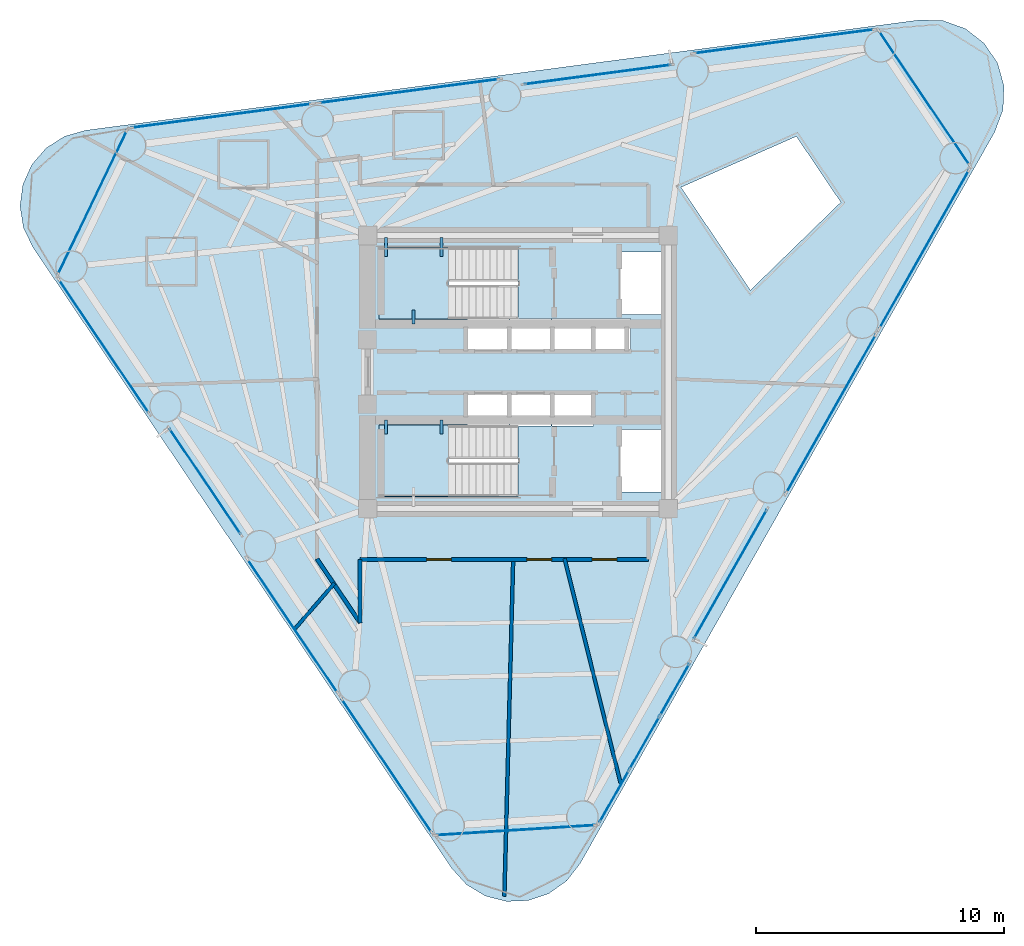
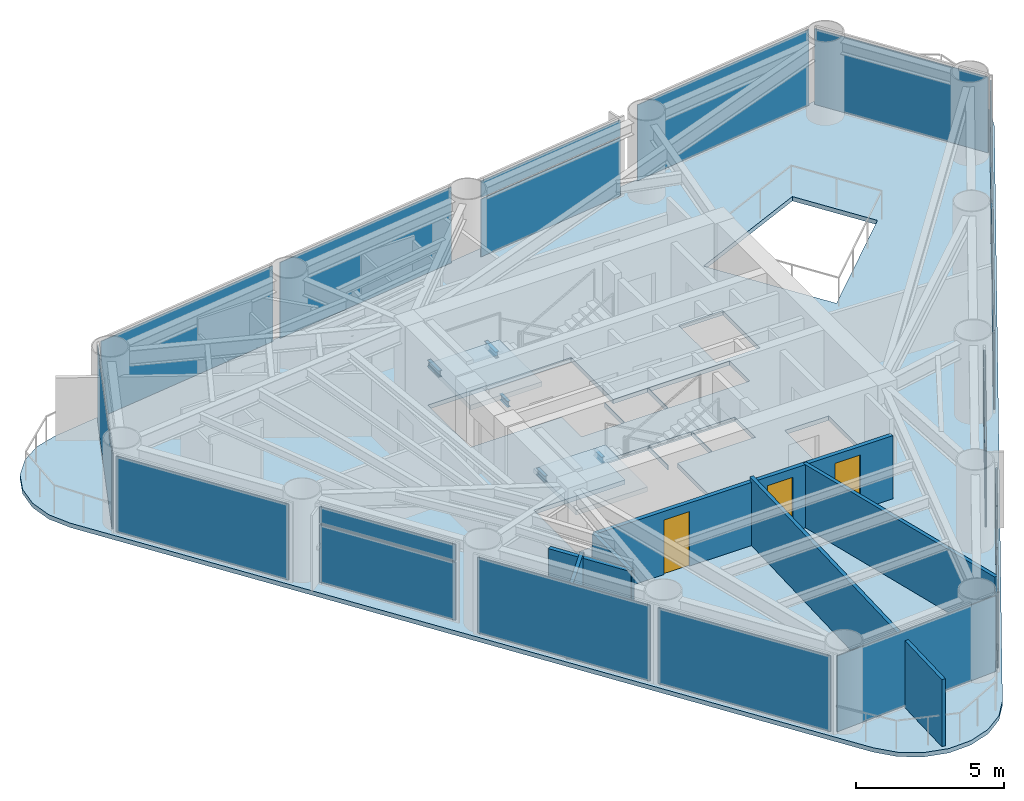
# One storey, part 4 of 9: 23 plates, 6 walls, 5 beams, 3 doors, 3 slabs, 3 openings, 17 elements without a shape of their own.
"""IFC4 building model written with IfcOpenShell, lengths in metres."""

from ifc_helpers import new_model, si_unit, direction, frame, frame_2d, origin, origin_2d, place, context, subcontext, project, spatial, polyline, rectangle, i_section, outline, extrude, source, transform, mapped, material, layer, layer_set, material_profile, profile_set, type_object, element, fill, aggregate, save


model = new_model("IFC4")

# Units and contexts
model_context = context("Model", 3, precision=1e-05, world=origin(), true_north=direction((0.0, 1.0)))
body_context = subcontext(model_context, "Body", "Model", "MODEL_VIEW")
ifc_project = project(units=[si_unit("LENGTHUNIT", "METRE"), si_unit("AREAUNIT", "SQUARE_METRE"), si_unit("VOLUMEUNIT", "CUBIC_METRE"), si_unit("PLANEANGLEUNIT", "RADIAN"), si_unit("MASSUNIT", "GRAM", prefix="KILO")], contexts=[model_context])

# Site, building, storey
site_placement = place(None, origin())
site = spatial("IfcSite", under=ifc_project, at=site_placement, CompositionType="ELEMENT")
building_placement = place(site_placement, origin())
building = spatial("IfcBuilding", under=site, at=building_placement, Name="Yunling Apex Tower", CompositionType="ELEMENT")
storey_placement = place(building_placement, frame((0.0, 0.0, 176.0)))
storey = spatial("IfcBuildingStorey", under=building, at=storey_placement, Name="L43", CompositionType="ELEMENT", Elevation=176.0)

# Beams
ifc_material_1 = material(Name="Steel Q355B", Category="steel")
ifc_material_profile = material_profile(ifc_material_1, i_section(OverallWidth=0.125, OverallDepth=0.25, WebThickness=0.006103515625, FlangeThickness=0.009033203125, FilletRadius=0.011962890625, at=origin_2d()))
ifc_profile_set = profile_set([ifc_material_profile], Name="Steel Q355B")
beam_type = type_object("IfcBeamType", Name="BL-LNT-1", PredefinedType="LINTEL", material=ifc_profile_set)
shared_shape_1 = source(origin(), body_context, "Body", "SweptSolid", [
    extrude(i_section(OverallWidth=0.125, OverallDepth=0.25, WebThickness=0.006103515625, FlangeThickness=0.009033203125, FilletRadius=0.011962890625, at=origin_2d()), origin(), (0.0, 0.0, 1.0), 0.760009765625),
])
for number, where, z_axis, x_axis, name in (
    (1, (-5.320068359375, 5.419921875, 1.405029296875), (0.0, -1.0, 0.0), (1.0, 0.0, 0.0), "L43 ST-1 Landing Bearing Corbel 1-1"),
    (2, (-3.090087890625, 5.419921875, 1.405029296875), (0.0, -1.0, 0.0), (1.0, 0.0, 0.0), "L43 ST-1 Landing Bearing Corbel 1-2"),
):
    element("IfcBeam", number, at=place(storey_placement, frame(where, z_axis=z_axis, x_axis=x_axis)), inside=storey, type_object=beam_type, Name=name, PredefinedType="LINTEL", context=body_context, shape_type="MappedRepresentation", body=[
        mapped(shared_shape_1, transform((0.0, 0.0, 0.0), scale=1.0)),
    ])
shared_shape_2 = source(origin(), body_context, "Body", "SweptSolid", [
    extrude(i_section(OverallWidth=0.125, OverallDepth=0.25, WebThickness=0.006103515625, FlangeThickness=0.009033203125, FilletRadius=0.011962890625, at=origin_2d()), origin(), (0.0, 0.0, 1.0), 0.550048828125),
])
for number, where, z_axis, x_axis, name in (
    (3, (-4.205078125, 1.93994140625, 1.405029296875), (0.0, 1.0, 0.0), (-1.0, 0.0, 0.0), "L43 ST-1 Landing Bearing Corbel 1-3"),
    (4, (-5.320068359375, -1.93994140625, 1.405029296875), (0.0, -1.0, 0.0), (1.0, 0.0, 0.0), "L43 ST-2 Landing Bearing Corbel 1-1"),
    (5, (-3.090087890625, -1.93994140625, 1.405029296875), (0.0, -1.0, 0.0), (1.0, 0.0, 0.0), "L43 ST-2 Landing Bearing Corbel 1-2"),
):
    element("IfcBeam", number, at=place(storey_placement, frame(where, z_axis=z_axis, x_axis=x_axis)), inside=storey, type_object=beam_type, Name=name, PredefinedType="LINTEL", context=body_context, shape_type="MappedRepresentation", body=[
        mapped(shared_shape_2, transform((0.0, 0.0, 0.0), scale=1.0)),
    ])

# Slab
ifc_material_2 = material(Name="Concrete C40", Category="concrete")
ifc_layer_1 = layer(ifc_material_2, 0.1650390625)
ifc_layer_set_1 = layer_set([ifc_layer_1], Name="Concrete C40")
slab_type_1 = type_object("IfcSlabType", Name="SL-FLR-2", PredefinedType="FLOOR", material=ifc_layer_set_1)
slab_1_placement = place(storey_placement, frame((0.0, 0.0, -0.179931640625)))
element("IfcSlab", 6, at=slab_1_placement, inside=storey, type_object=slab_type_1, Name="L43 Composite Tower Floor Slab", PredefinedType="FLOOR", context=body_context, shape_type="SweptSolid", body=[
    extrude(outline(polyline([(-2.665771484375, -20.00146484375), (-2.073486328125, -20.65185546875), (-1.31982421875, -21.10546875), (-0.468017578125, -21.32421875), (0.410888671875, -21.2900390625), (1.243408203125, -21.005615234375), (1.95947265625, -20.494873046875), (2.499267578125, -19.80029296875), (19.197998046875, 9.66650390625), (19.533203125, 10.565185546875), (19.572021484375, 11.5234375), (19.31005859375, 12.4462890625), (18.773681640625, 13.241455078125), (18.01611328125, 13.830078125), (17.113037109375, 14.1533203125), (16.154296875, 14.178955078125), (-17.422119140625, 9.734619140625), (-18.268310546875, 9.494384765625), (-19.01025390625, 9.021728515625), (-19.585693359375, 8.3564453125), (-19.947021484375, 7.554443359375), (-20.06298828125, 6.682373046875), (-19.9248046875, 5.813720703125), (-19.543701171875, 5.02099609375), (-2.665771484375, -20.00146484375)]), holes=[polyline([(11.209228515625, 9.49072265625), (12.998779296875, 6.837890625), (9.356689453125, 3.295654296875), (6.560791015625, 7.44091796875), (11.209228515625, 9.49072265625)]), polyline([(4.090087890625, -2.320068359375), (5.81005859375, -2.320068359375), (5.81005859375, -4.840087890625), (4.090087890625, -4.840087890625), (4.090087890625, -2.320068359375)]), polyline([(5.81005859375, 4.840087890625), (5.81005859375, 2.320068359375), (4.090087890625, 2.320068359375), (4.090087890625, 4.840087890625), (5.81005859375, 4.840087890625)]), polyline([(1.364990234375, 2.1650390625), (4.534912109375, 2.1650390625), (4.534912109375, 0.794921875), (1.364990234375, 0.794921875), (1.364990234375, 2.1650390625)]), polyline([(3.034912109375, -0.794921875), (3.034912109375, -2.1650390625), (1.364990234375, -2.1650390625), (1.364990234375, -0.794921875), (3.034912109375, -0.794921875)]), polyline([(-2.034912109375, -0.794921875), (-0.364990234375, -0.794921875), (-0.364990234375, -2.139892578125), (-0.3349609375, -2.139892578125), (-0.3349609375, -0.794921875), (1.3349609375, -0.794921875), (1.3349609375, -2.1650390625), (-0.010009765625, -2.1650390625), (-0.010009765625, -5.010009765625), (-5.60009765625, -5.010009765625), (-5.60009765625, -2.139892578125), (-2.034912109375, -2.139892578125), (-2.034912109375, -0.794921875)]), polyline([(-5.60009765625, 2.139892578125), (-5.60009765625, 5.010009765625), (-0.010009765625, 5.010009765625), (-0.010009765625, 2.1650390625), (1.3349609375, 2.1650390625), (1.3349609375, 0.794921875), (-0.3349609375, 0.794921875), (-0.3349609375, 2.139892578125), (-0.364990234375, 2.139892578125), (-0.364990234375, 0.794921875), (-2.034912109375, 0.794921875), (-2.034912109375, 2.139892578125), (-5.60009765625, 2.139892578125)])]), origin(), (0.0, 0.0, 1.0), 0.179931640625),
])

# Stair, slab
stair_type = type_object("IfcStairType", Name="ST-TWR-2", PredefinedType="HALF_TURN_STAIR", material=ifc_material_2)
stair_1_placement = place(storey_placement, origin())
stair_1 = element("IfcStair", 7, at=stair_1_placement, inside=storey, type_object=stair_type, Name="L43 North Core Smokeproof Exit Stair ST-1", PredefinedType="HALF_TURN_STAIR")
ifc_layer_2 = layer(ifc_material_2, 0.195068359375)
ifc_layer_set_2 = layer_set([ifc_layer_2], Name="Concrete C40")
slab_type_2 = type_object("IfcSlabType", Name="SL-LND-1", PredefinedType="LANDING", material=ifc_layer_set_2)
slab_2_placement = place(storey_placement, frame((0.0, 0.0, 1.530029296875)))
slab_2 = element("IfcSlab", 8, at=slab_2_placement, type_object=slab_type_2, Name="ST-1 landing 1", PredefinedType="LANDING", context=body_context, shape_type="SweptSolid", body=[
    extrude(outline(polyline([(-2.81005859375, 5.010009765625), (-5.60009765625, 5.010009765625), (-5.60009765625, 2.139892578125), (-2.81005859375, 2.139892578125), (-2.81005859375, 5.010009765625)])), origin(), (0.0, 0.0, 1.0), 0.195068359375),
])
aggregate(stair_1, [slab_2])

stair_2_placement = place(storey_placement, origin())
stair_2 = element("IfcStair", 9, at=stair_2_placement, inside=storey, type_object=stair_type, Name="L43 South Core Smokeproof Exit Stair ST-2", PredefinedType="HALF_TURN_STAIR")
slab_3_placement = place(storey_placement, frame((0.0, 0.0, 1.530029296875)))
slab_3 = element("IfcSlab", 10, at=slab_3_placement, type_object=slab_type_2, Name="ST-2 landing 1", PredefinedType="LANDING", context=body_context, shape_type="SweptSolid", body=[
    extrude(outline(polyline([(-2.81005859375, -2.139892578125), (-5.60009765625, -2.139892578125), (-5.60009765625, -5.010009765625), (-2.81005859375, -5.010009765625), (-2.81005859375, -2.139892578125)])), origin(), (0.0, 0.0, 1.0), 0.195068359375),
])
aggregate(stair_2, [slab_3])

# Curtain wall, plates
ifc_material_3 = material(Name="Bronze anodised aluminium", Category="aluminium")
ifc_layer_3 = layer(ifc_material_3, 0.239990234375)
ifc_layer_set_3 = layer_set([ifc_layer_3], Name="Bronze anodised aluminium")
curtain_wall_type = type_object("IfcCurtainWallType", Name="CW-SYS-3", PredefinedType="NOTDEFINED", material=ifc_layer_set_3)
curtain_wall_1_placement = place(storey_placement, origin())
curtain_wall_1 = element("IfcCurtainWall", 11, at=curtain_wall_1_placement, inside=storey, type_object=curtain_wall_type, Name="CW-L43-F1-B1", PredefinedType="NOTDEFINED")
ifc_material_4 = material(Name="Bronze tinted low-E glass", Category="glass")
ifc_layer_4 = layer(ifc_material_4, 0.031982421875)
ifc_layer_set_4 = layer_set([ifc_layer_4], Name="Bronze tinted low-E glass")
plate_type = type_object("IfcPlateType", Name="CW-PNL-3", PredefinedType="CURTAIN_PANEL", material=ifc_layer_set_4)
shared_shape_3 = source(origin(), body_context, "Body", "SweptSolid", [
    extrude(rectangle(XDim=2.3828125, YDim=0.031982421875, at=origin_2d()), origin(), (0.0, 0.0, 1.0), 2.381103515625),
])
plate_1_placement = place(storey_placement, frame((3.874755859375, -17.089111328125, 0.072265625), z_axis=(0.0, 0.0, 1.0), x_axis=(0.493040979859, 0.870006087438, 0.0)))
plate_1 = element("IfcPlate", 12, at=plate_1_placement, type_object=plate_type, Name="CW-SYS-3 panel 1.1", PredefinedType="CURTAIN_PANEL", context=body_context, shape_type="MappedRepresentation", body=[
    mapped(shared_shape_3, transform((0.0, 0.0, 0.0), scale=1.0)),
])
plate_2_placement = place(storey_placement, frame((6.307373046875, -12.796875, 0.072265625), z_axis=(0.0, 0.0, 1.0), x_axis=(0.493040979859, 0.870006087438, 0.0)))
plate_2 = element("IfcPlate", 13, at=plate_2_placement, type_object=plate_type, Name="CW-SYS-3 panel 3.1", PredefinedType="CURTAIN_PANEL", context=body_context, shape_type="MappedRepresentation", body=[
    mapped(shared_shape_3, transform((0.0, 0.0, 0.0), scale=1.0)),
])
shared_shape_4 = source(origin(), body_context, "Body", "SweptSolid", [
    extrude(rectangle(XDim=2.3828125, YDim=0.031982421875, at=origin_2d()), origin(), (0.0, 0.0, 1.0), 0.680908203125),
])
plate_3_placement = place(storey_placement, frame((3.874755859375, -17.089111328125, 2.51708984375), z_axis=(0.0, 0.0, 1.0), x_axis=(0.493040979859, 0.870006087438, 0.0)))
plate_3 = element("IfcPlate", 14, at=plate_3_placement, type_object=plate_type, Name="CW-SYS-3 panel 1.2", PredefinedType="CURTAIN_PANEL", context=body_context, shape_type="MappedRepresentation", body=[
    mapped(shared_shape_4, transform((0.0, 0.0, 0.0), scale=1.0)),
])
plate_4_placement = place(storey_placement, frame((6.307373046875, -12.796875, 2.51708984375), z_axis=(0.0, 0.0, 1.0), x_axis=(0.493040979859, 0.870006087438, 0.0)))
plate_4 = element("IfcPlate", 15, at=plate_4_placement, type_object=plate_type, Name="CW-SYS-3 panel 3.2", PredefinedType="CURTAIN_PANEL", context=body_context, shape_type="MappedRepresentation", body=[
    mapped(shared_shape_4, transform((0.0, 0.0, 0.0), scale=1.0)),
])
shared_shape_5 = source(origin(), body_context, "Body", "SweptSolid", [
    extrude(rectangle(XDim=2.4228515625, YDim=0.031982421875, at=origin_2d()), origin(), (0.0, 0.0, 1.0), 2.381103515625),
])
plate_5_placement = place(storey_placement, frame((5.091064453125, -14.943115234375, 0.072265625), z_axis=(0.0, 0.0, 1.0), x_axis=(0.493040979859, 0.870006087438, 0.0)))
plate_5 = element("IfcPlate", 16, at=plate_5_placement, type_object=plate_type, Name="CW-SYS-3 panel 2.1", PredefinedType="CURTAIN_PANEL", context=body_context, shape_type="MappedRepresentation", body=[
    mapped(shared_shape_5, transform((0.0, 0.0, 0.0), scale=1.0)),
])
shared_shape_6 = source(origin(), body_context, "Body", "SweptSolid", [
    extrude(rectangle(XDim=2.4228515625, YDim=0.031982421875, at=origin_2d()), origin(), (0.0, 0.0, 1.0), 0.680908203125),
])
plate_6_placement = place(storey_placement, frame((5.091064453125, -14.943115234375, 2.51708984375), z_axis=(0.0, 0.0, 1.0), x_axis=(0.493040979859, 0.870006087438, 0.0)))
plate_6 = element("IfcPlate", 17, at=plate_6_placement, type_object=plate_type, Name="CW-SYS-3 panel 2.2", PredefinedType="CURTAIN_PANEL", context=body_context, shape_type="MappedRepresentation", body=[
    mapped(shared_shape_6, transform((0.0, 0.0, 0.0), scale=1.0)),
])
aggregate(curtain_wall_1, [plate_1, plate_3, plate_5, plate_6, plate_2, plate_4])

# Curtain wall, plate
curtain_wall_2_placement = place(storey_placement, origin())
curtain_wall_2 = element("IfcCurtainWall", 18, at=curtain_wall_2_placement, inside=storey, type_object=curtain_wall_type, Name="CW-L43-F1-B2", PredefinedType="NOTDEFINED")
shared_shape_7 = source(origin(), body_context, "Body", "SweptSolid", [
    extrude(rectangle(XDim=5.9365234375, YDim=0.031982421875, at=origin_2d()), origin(), (0.0, 0.0, 1.0), 2.381103515625),
])
plate_7_placement = place(storey_placement, frame((8.552490234375, -8.145263671875, 0.072265625), z_axis=(0.0, 0.0, 1.0), x_axis=(0.493047012471, 0.87000266867, 0.0)))
plate_7 = element("IfcPlate", 19, at=plate_7_placement, type_object=plate_type, Name="CW-SYS-3 panel 1.1", PredefinedType="CURTAIN_PANEL", context=body_context, shape_type="MappedRepresentation", body=[
    mapped(shared_shape_7, transform((0.0, 0.0, 0.0), scale=1.0)),
])

curtain_wall_3_placement = place(storey_placement, origin())
curtain_wall_3 = element("IfcCurtainWall", 20, at=curtain_wall_3_placement, inside=storey, type_object=curtain_wall_type, Name="CW-L43-F2-B2", PredefinedType="NOTDEFINED")
plate_8_placement = place(storey_placement, frame((3.206298828125, 11.98095703125, 0.072265625), z_axis=(0.0, 0.0, 1.0), x_axis=(-0.99135526932, -0.131204916036, 0.0)))
plate_8 = element("IfcPlate", 21, at=plate_8_placement, type_object=plate_type, Name="CW-SYS-3 panel 1.1", PredefinedType="CURTAIN_PANEL", context=body_context, shape_type="MappedRepresentation", body=[
    mapped(shared_shape_7, transform((0.0, 0.0, 0.0), scale=1.0)),
])

# Plate
shared_shape_8 = source(origin(), body_context, "Body", "SweptSolid", [
    extrude(rectangle(XDim=5.9365234375, YDim=0.031982421875, at=origin_2d()), origin(), (0.0, 0.0, 1.0), 0.680908203125),
])
plate_9_placement = place(storey_placement, frame((8.552490234375, -8.145263671875, 2.51708984375), z_axis=(0.0, 0.0, 1.0), x_axis=(0.493047012471, 0.87000266867, 0.0)))
plate_9 = element("IfcPlate", 22, at=plate_9_placement, type_object=plate_type, Name="CW-SYS-3 panel 1.2", PredefinedType="CURTAIN_PANEL", context=body_context, shape_type="MappedRepresentation", body=[
    mapped(shared_shape_8, transform((0.0, 0.0, 0.0), scale=1.0)),
])

aggregate(curtain_wall_2, [plate_7, plate_9])

plate_10_placement = place(storey_placement, frame((3.206298828125, 11.98095703125, 2.51708984375), z_axis=(0.0, 0.0, 1.0), x_axis=(-0.99135526932, -0.131204916036, 0.0)))
plate_10 = element("IfcPlate", 23, at=plate_10_placement, type_object=plate_type, Name="CW-SYS-3 panel 1.2", PredefinedType="CURTAIN_PANEL", context=body_context, shape_type="MappedRepresentation", body=[
    mapped(shared_shape_8, transform((0.0, 0.0, 0.0), scale=1.0)),
])

aggregate(curtain_wall_3, [plate_8, plate_10])

# Curtain wall, plate
curtain_wall_4_placement = place(storey_placement, origin())
curtain_wall_4 = element("IfcCurtainWall", 24, at=curtain_wall_4_placement, inside=storey, type_object=curtain_wall_type, Name="CW-L43-F1-B3", PredefinedType="NOTDEFINED")
shared_shape_9 = source(origin(), body_context, "Body", "SweptSolid", [
    extrude(rectangle(XDim=7.316650390625, YDim=0.031982421875, at=origin_2d()), origin(), (0.0, 0.0, 1.0), 3.1259765625),
])
plate_11_placement = place(storey_placement, frame((12.60546875, -1.682861328125, 0.072021484375), z_axis=(0.0, 0.0, 1.0), x_axis=(0.493035230416, 0.870009345679, 0.0)))
plate_11 = element("IfcPlate", 25, at=plate_11_placement, type_object=plate_type, Name="CW-SYS-3 panel 1.1", PredefinedType="CURTAIN_PANEL", context=body_context, shape_type="MappedRepresentation", body=[
    mapped(shared_shape_9, transform((0.0, 0.0, 0.0), scale=1.0)),
])
aggregate(curtain_wall_4, [plate_11])

curtain_wall_5_placement = place(storey_placement, origin())
curtain_wall_5 = element("IfcCurtainWall", 26, at=curtain_wall_5_placement, inside=storey, type_object=curtain_wall_type, Name="CW-L43-F1-B4", PredefinedType="NOTDEFINED")
plate_12_placement = place(storey_placement, frame((16.362548828125, 4.947021484375, 0.072021484375), z_axis=(0.0, 0.0, 1.0), x_axis=(0.493040979859, 0.870006087438, 0.0)))
plate_12 = element("IfcPlate", 27, at=plate_12_placement, type_object=plate_type, Name="CW-SYS-3 panel 1.1", PredefinedType="CURTAIN_PANEL", context=body_context, shape_type="MappedRepresentation", body=[
    mapped(shared_shape_9, transform((0.0, 0.0, 0.0), scale=1.0)),
])
aggregate(curtain_wall_5, [plate_12])

curtain_wall_6_placement = place(storey_placement, origin())
curtain_wall_6 = element("IfcCurtainWall", 28, at=curtain_wall_6_placement, inside=storey, type_object=curtain_wall_type, Name="CW-L43-F2-B1", PredefinedType="NOTDEFINED")
plate_13_placement = place(storey_placement, frame((10.716552734375, 13.31787109375, 0.072021484375), z_axis=(0.0, 0.0, 1.0), x_axis=(-0.991352945496, -0.131222473138, 0.0)))
plate_13 = element("IfcPlate", 29, at=plate_13_placement, type_object=plate_type, Name="CW-SYS-3 panel 1.1", PredefinedType="CURTAIN_PANEL", context=body_context, shape_type="MappedRepresentation", body=[
    mapped(shared_shape_9, transform((0.0, 0.0, 0.0), scale=1.0)),
])
aggregate(curtain_wall_6, [plate_13])

curtain_wall_7_placement = place(storey_placement, origin())
curtain_wall_7 = element("IfcCurtainWall", 30, at=curtain_wall_7_placement, inside=storey, type_object=curtain_wall_type, Name="CW-L43-F2-B3", PredefinedType="NOTDEFINED")
plate_14_placement = place(storey_placement, frame((-4.39306640625, 11.318115234375, 0.072021484375), z_axis=(0.0, 0.0, 1.0), x_axis=(-0.991354689071, -0.13120930019, 0.0)))
plate_14 = element("IfcPlate", 31, at=plate_14_placement, type_object=plate_type, Name="CW-SYS-3 panel 1.1", PredefinedType="CURTAIN_PANEL", context=body_context, shape_type="MappedRepresentation", body=[
    mapped(shared_shape_9, transform((0.0, 0.0, 0.0), scale=1.0)),
])
aggregate(curtain_wall_7, [plate_14])

curtain_wall_8_placement = place(storey_placement, origin())
curtain_wall_8 = element("IfcCurtainWall", 32, at=curtain_wall_8_placement, inside=storey, type_object=curtain_wall_type, Name="CW-L43-F2-B4", PredefinedType="NOTDEFINED")
plate_15_placement = place(storey_placement, frame((-11.94775390625, 10.318115234375, 0.072021484375), z_axis=(0.0, 0.0, 1.0), x_axis=(-0.991352945496, -0.131222473138, 0.0)))
plate_15 = element("IfcPlate", 33, at=plate_15_placement, type_object=plate_type, Name="CW-SYS-3 panel 1.1", PredefinedType="CURTAIN_PANEL", context=body_context, shape_type="MappedRepresentation", body=[
    mapped(shared_shape_9, transform((0.0, 0.0, 0.0), scale=1.0)),
])
aggregate(curtain_wall_8, [plate_15])

curtain_wall_9_placement = place(storey_placement, origin())
curtain_wall_9 = element("IfcCurtainWall", 34, at=curtain_wall_9_placement, inside=storey, type_object=curtain_wall_type, Name="CW-L43-CRN1", PredefinedType="NOTDEFINED")
shared_shape_10 = source(origin(), body_context, "Body", "SweptSolid", [
    extrude(rectangle(XDim=6.521728515625, YDim=0.031982421875, at=origin_2d()), origin(), (0.0, 0.0, 1.0), 3.1259765625),
])
plate_16_placement = place(storey_placement, frame((16.360107421875, 11.03515625, 0.072021484375), z_axis=(0.0, 0.0, 1.0), x_axis=(-0.559192747259, 0.829037677921, 0.0)))
plate_16 = element("IfcPlate", 35, at=plate_16_placement, type_object=plate_type, Name="CW-SYS-3 panel 1.1", PredefinedType="CURTAIN_PANEL", context=body_context, shape_type="MappedRepresentation", body=[
    mapped(shared_shape_10, transform((0.0, 0.0, 0.0), scale=1.0)),
])
aggregate(curtain_wall_9, [plate_16])

curtain_wall_10_placement = place(storey_placement, origin())
curtain_wall_10 = element("IfcCurtainWall", 36, at=curtain_wall_10_placement, inside=storey, type_object=curtain_wall_type, Name="CW-L43-CRN2", PredefinedType="NOTDEFINED")
shared_shape_11 = source(origin(), body_context, "Body", "SweptSolid", [
    extrude(rectangle(XDim=6.441162109375, YDim=0.031982421875, at=origin_2d()), origin(), (0.0, 0.0, 1.0), 3.1259765625),
])
plate_17_placement = place(storey_placement, frame((-17.144775390625, 6.828857421875, 0.072021484375), z_axis=(0.0, 0.0, 1.0), x_axis=(-0.431993843071, -0.901876554496, 0.0)))
plate_17 = element("IfcPlate", 37, at=plate_17_placement, type_object=plate_type, Name="CW-SYS-3 panel 1.1", PredefinedType="CURTAIN_PANEL", context=body_context, shape_type="MappedRepresentation", body=[
    mapped(shared_shape_11, transform((0.0, 0.0, 0.0), scale=1.0)),
])
aggregate(curtain_wall_10, [plate_17])

curtain_wall_11_placement = place(storey_placement, origin())
curtain_wall_11 = element("IfcCurtainWall", 38, at=curtain_wall_11_placement, inside=storey, type_object=curtain_wall_type, Name="CW-L43-CRN3", PredefinedType="NOTDEFINED")
plate_18_placement = place(storey_placement, frame((-0.091064453125, -18.454345703125, 0.072021484375), z_axis=(0.0, 0.0, 1.0), x_axis=(0.998034158431, 0.062672311308, 0.0)))
plate_18 = element("IfcPlate", 39, at=plate_18_placement, type_object=plate_type, Name="CW-SYS-3 panel 1.1", PredefinedType="CURTAIN_PANEL", context=body_context, shape_type="MappedRepresentation", body=[
    mapped(shared_shape_11, transform((0.0, 0.0, 0.0), scale=1.0)),
])
aggregate(curtain_wall_11, [plate_18])

curtain_wall_12_placement = place(storey_placement, origin())
curtain_wall_12 = element("IfcCurtainWall", 40, at=curtain_wall_12_placement, inside=storey, type_object=curtain_wall_type, Name="CW-L43-F3-B1", PredefinedType="NOTDEFINED")
shared_shape_12 = source(origin(), body_context, "Body", "SweptSolid", [
    extrude(rectangle(XDim=6.487060546875, YDim=0.031982421875, at=origin_2d()), origin(), (0.0, 0.0, 1.0), 3.1259765625),
])
plate_19_placement = place(storey_placement, frame((-16.684814453125, 1.033203125, 0.072021484375), z_axis=(0.0, 0.0, 1.0), x_axis=(0.559181442901, -0.829045302692, 0.0)))
plate_19 = element("IfcPlate", 41, at=plate_19_placement, type_object=plate_type, Name="CW-SYS-3 panel 1.1", PredefinedType="CURTAIN_PANEL", context=body_context, shape_type="MappedRepresentation", body=[
    mapped(shared_shape_12, transform((0.0, 0.0, 0.0), scale=1.0)),
])
aggregate(curtain_wall_12, [plate_19])

curtain_wall_13_placement = place(storey_placement, origin())
curtain_wall_13 = element("IfcCurtainWall", 42, at=curtain_wall_13_placement, inside=storey, type_object=curtain_wall_type, Name="CW-L43-F3-B3", PredefinedType="NOTDEFINED")
plate_20_placement = place(storey_placement, frame((-9.08984375, -10.226806640625, 0.072021484375), z_axis=(0.0, 0.0, 1.0), x_axis=(0.559188434042, -0.829040587205, 0.0)))
plate_20 = element("IfcPlate", 43, at=plate_20_placement, type_object=plate_type, Name="CW-SYS-3 panel 1.1", PredefinedType="CURTAIN_PANEL", context=body_context, shape_type="MappedRepresentation", body=[
    mapped(shared_shape_12, transform((0.0, 0.0, 0.0), scale=1.0)),
])
aggregate(curtain_wall_13, [plate_20])

curtain_wall_14_placement = place(storey_placement, origin())
curtain_wall_14 = element("IfcCurtainWall", 44, at=curtain_wall_14_placement, inside=storey, type_object=curtain_wall_type, Name="CW-L43-F3-B4", PredefinedType="NOTDEFINED")
plate_21_placement = place(storey_placement, frame((-5.29248046875, -15.85693359375, 0.072021484375), z_axis=(0.0, 0.0, 1.0), x_axis=(0.559181442901, -0.829045302692, 0.0)))
plate_21 = element("IfcPlate", 45, at=plate_21_placement, type_object=plate_type, Name="CW-SYS-3 panel 1.1", PredefinedType="CURTAIN_PANEL", context=body_context, shape_type="MappedRepresentation", body=[
    mapped(shared_shape_12, transform((0.0, 0.0, 0.0), scale=1.0)),
])
aggregate(curtain_wall_14, [plate_21])

# Curtain wall, plates
curtain_wall_15_placement = place(storey_placement, origin())
curtain_wall_15 = element("IfcCurtainWall", 46, at=curtain_wall_15_placement, inside=storey, type_object=curtain_wall_type, Name="CW-L43-F3-B2", PredefinedType="NOTDEFINED")
shared_shape_13 = source(origin(), body_context, "Body", "SweptSolid", [
    extrude(rectangle(XDim=5.10693359375, YDim=0.031982421875, at=origin_2d()), origin(), (0.0, 0.0, 1.0), 2.381103515625),
])
plate_22_placement = place(storey_placement, frame((-12.60546875, -4.40673828125, 0.072265625), z_axis=(0.0, 0.0, 1.0), x_axis=(0.559209856873, -0.829026137089, 0.0)))
plate_22 = element("IfcPlate", 47, at=plate_22_placement, type_object=plate_type, Name="CW-SYS-3 panel 1.1", PredefinedType="CURTAIN_PANEL", context=body_context, shape_type="MappedRepresentation", body=[
    mapped(shared_shape_13, transform((0.0, 0.0, 0.0), scale=1.0)),
])
shared_shape_14 = source(origin(), body_context, "Body", "SweptSolid", [
    extrude(rectangle(XDim=5.10693359375, YDim=0.031982421875, at=origin_2d()), origin(), (0.0, 0.0, 1.0), 0.680908203125),
])
plate_23_placement = place(storey_placement, frame((-12.60546875, -4.40673828125, 2.51708984375), z_axis=(0.0, 0.0, 1.0), x_axis=(0.559209856873, -0.829026137089, 0.0)))
plate_23 = element("IfcPlate", 48, at=plate_23_placement, type_object=plate_type, Name="CW-SYS-3 panel 1.2", PredefinedType="CURTAIN_PANEL", context=body_context, shape_type="MappedRepresentation", body=[
    mapped(shared_shape_14, transform((0.0, 0.0, 0.0), scale=1.0)),
])
aggregate(curtain_wall_15, [plate_22, plate_23])

# Wall
ifc_material_5 = material(Name="Gypsum board acoustic partition")
ifc_layer_5 = layer(ifc_material_5, 0.159912109375)
ifc_layer_set_5 = layer_set([ifc_layer_5], Name="Gypsum board acoustic partition")
wall_type_1 = type_object("IfcWallType", Name="WL-PRT-1", PredefinedType="PARTITIONING", material=ifc_layer_set_5)
wall_1_placement = place(storey_placement, frame((-6.360107421875, -10.107421875, 0.0), z_axis=(0.0, 0.0, 1.0), x_axis=(-0.559200615657, 0.829032370567, 0.0)))
element("IfcWall", 49, at=wall_1_placement, inside=storey, type_object=wall_type_1, Name="WL-CORR-L43-01", PredefinedType="PARTITIONING", context=body_context, shape_type="SweptSolid", body=[
    extrude(rectangle(XDim=3.111572265625, YDim=0.159912109375, at=frame_2d((1.5556640625, 0.0))), origin(), (0.0, 0.0, 1.0), 2.60498046875),
])

# Wall, openings, doors
wall_2_placement = place(storey_placement, frame((5.25, -7.550048828125, 0.0), z_axis=(0.0, 0.0, 1.0), x_axis=(-1.0, 0.0, 0.0)))
wall_2 = element("IfcWall", 50, at=wall_2_placement, inside=storey, type_object=wall_type_1, Name="WL-CORR-L43-09", PredefinedType="PARTITIONING", context=body_context, shape_type="SweptSolid", body=[
    extrude(rectangle(XDim=11.610107421875, YDim=0.159912109375, at=frame_2d((5.80517578125, 0.0))), origin(), (0.0, 0.0, 1.0), 2.60498046875),
])
opening_1_placement = place(wall_2_placement, frame((1.2666015625, 0.0, 0.0)))
opening_1 = element("IfcOpeningElement", 51, at=opening_1_placement, cuts=wall_2, Name="Opening DR-OFF-1", PredefinedType="OPENING", context=body_context, shape_type="SweptSolid", body=[
    extrude(rectangle(XDim=1.0, YDim=2.25, at=frame_2d((0.5, 1.125))), frame((0.0, 0.08984375, 0.0), z_axis=(0.0, -1.0, 0.0), x_axis=(1.0, 0.0, 0.0)), (0.0, 0.0, 1.0), 0.179931640625),
])
opening_2_placement = place(wall_2_placement, frame((3.89990234375, 0.0, 0.0)))
opening_2 = element("IfcOpeningElement", 52, at=opening_2_placement, cuts=wall_2, Name="Opening DR-OFF-1", PredefinedType="OPENING", context=body_context, shape_type="SweptSolid", body=[
    extrude(rectangle(XDim=1.0, YDim=2.25, at=frame_2d((0.5, 1.125))), frame((0.0, 0.08984375, 0.0), z_axis=(0.0, -1.0, 0.0), x_axis=(1.0, 0.0, 0.0)), (0.0, 0.0, 1.0), 0.179931640625),
])
opening_3_placement = place(wall_2_placement, frame((7.935791015625, 0.0, 0.0)))
opening_3 = element("IfcOpeningElement", 53, at=opening_3_placement, cuts=wall_2, Name="Opening DR-OFF-1", PredefinedType="OPENING", context=body_context, shape_type="SweptSolid", body=[
    extrude(rectangle(XDim=1.0, YDim=2.25, at=frame_2d((0.5, 1.125))), frame((0.0, 0.08984375, 0.0), z_axis=(0.0, -1.0, 0.0), x_axis=(1.0, 0.0, 0.0)), (0.0, 0.0, 1.0), 0.179931640625),
])
door_type = type_object("IfcDoorType", Name="DR-OFF-1", OperationType="NOTDEFINED", PredefinedType="DOOR", material=ifc_material_3)
door_1_placement = place(opening_1_placement, origin())
door_1 = element("IfcDoor", 54, at=door_1_placement, inside=storey, type_object=door_type, Name="L43 VIP Reception Foyer Door", OperationType="SINGLE_SWING_RIGHT", OverallHeight=2.25, OverallWidth=1.0, PredefinedType="DOOR", context=body_context, shape_type="SweptSolid", body=[
    extrude(rectangle(XDim=1.0, YDim=2.25, at=frame_2d((0.5, 1.125))), frame((0.0, 0.02490234375, 0.0), z_axis=(0.0, -1.0, 0.0), x_axis=(1.0, 0.0, 0.0)), (0.0, 0.0, 1.0), 0.050048828125),
])
fill(opening_1, door_1)
door_2_placement = place(opening_2_placement, origin())
door_2 = element("IfcDoor", 55, at=door_2_placement, inside=storey, type_object=door_type, Name="L43 Staff Duty Office Door", OperationType="SINGLE_SWING_LEFT", OverallHeight=2.25, OverallWidth=1.0, PredefinedType="DOOR", context=body_context, shape_type="SweptSolid", body=[
    extrude(rectangle(XDim=1.0, YDim=2.25, at=frame_2d((0.5, 1.125))), frame((0.0, 0.02490234375, 0.0), z_axis=(0.0, -1.0, 0.0), x_axis=(1.0, 0.0, 0.0)), (0.0, 0.0, 1.0), 0.050048828125),
])
fill(opening_2, door_2)
door_3_placement = place(opening_3_placement, origin())
door_3 = element("IfcDoor", 56, at=door_3_placement, inside=storey, type_object=door_type, Name="L43 VIP Reception Foyer Door", OperationType="SINGLE_SWING_RIGHT", OverallHeight=2.25, OverallWidth=1.0, PredefinedType="DOOR", context=body_context, shape_type="SweptSolid", body=[
    extrude(rectangle(XDim=1.0, YDim=2.25, at=frame_2d((0.5, 1.125))), frame((0.0, 0.02490234375, 0.0), z_axis=(0.0, -1.0, 0.0), x_axis=(1.0, 0.0, 0.0)), (0.0, 0.0, 1.0), 0.050048828125),
])
fill(opening_3, door_3)

# Walls
wall_3_placement = place(storey_placement, frame((-6.360107421875, -7.550048828125, 0.0), z_axis=(0.0, 0.0, 1.0), x_axis=(0.0, -1.0, 0.0)))
element("IfcWall", 57, at=wall_3_placement, inside=storey, type_object=wall_type_1, Name="WL-CORR-L43-10", PredefinedType="PARTITIONING", context=body_context, shape_type="SweptSolid", body=[
    extrude(rectangle(XDim=2.557373046875, YDim=0.159912109375, at=frame_2d((1.27880859375, 0.0))), origin(), (0.0, 0.0, 1.0), 2.60498046875),
])
ifc_layer_6 = layer(ifc_material_5, 0.139892578125)
ifc_layer_set_6 = layer_set([ifc_layer_6], Name="Gypsum board acoustic partition")
wall_type_2 = type_object("IfcWallType", Name="WL-PRT-2", PredefinedType="PARTITIONING", material=ifc_layer_set_6)
wall_4_placement = place(storey_placement, frame((-7.392822265625, -8.504638671875, 0.0), z_axis=(0.0, 0.0, 1.0), x_axis=(-0.656043394523, -0.754723170774, 0.0)))
element("IfcWall", 58, at=wall_4_placement, inside=storey, type_object=wall_type_2, Name="WL-RAD-L43-06", PredefinedType="PARTITIONING", context=body_context, shape_type="SweptSolid", body=[
    extrude(rectangle(XDim=2.412109375, YDim=0.139892578125, at=frame_2d((1.2060546875, 0.0))), origin(), (0.0, 0.0, 1.0), 2.764892578125),
])
wall_5_placement = place(storey_placement, frame((-0.19677734375, -7.510009765625, 0.0), z_axis=(0.0, 0.0, 1.0), x_axis=(-0.026169420715, -0.999657522064, 0.0)))
element("IfcWall", 59, at=wall_5_placement, inside=storey, type_object=wall_type_2, Name="WL-RAD-L43-07", PredefinedType="PARTITIONING", context=body_context, shape_type="SweptSolid", body=[
    extrude(rectangle(XDim=13.611328125, YDim=0.139892578125, at=frame_2d((6.8056640625, 0.0))), origin(), (0.0, 0.0, 1.0), 2.764892578125),
])
wall_6_placement = place(storey_placement, frame((1.87255859375, -7.510009765625, 0.0), z_axis=(0.0, 0.0, 1.0), x_axis=(0.241919667538, -0.970296281791, 0.0)))
element("IfcWall", 60, at=wall_6_placement, inside=storey, type_object=wall_type_2, Name="WL-RAD-L43-08", PredefinedType="PARTITIONING", context=body_context, shape_type="SweptSolid", body=[
    extrude(rectangle(XDim=9.326904296875, YDim=0.139892578125, at=frame_2d((4.66357421875, 0.0))), origin(), (0.0, 0.0, 1.0), 2.60498046875),
])

save(model, "model.ifc")
